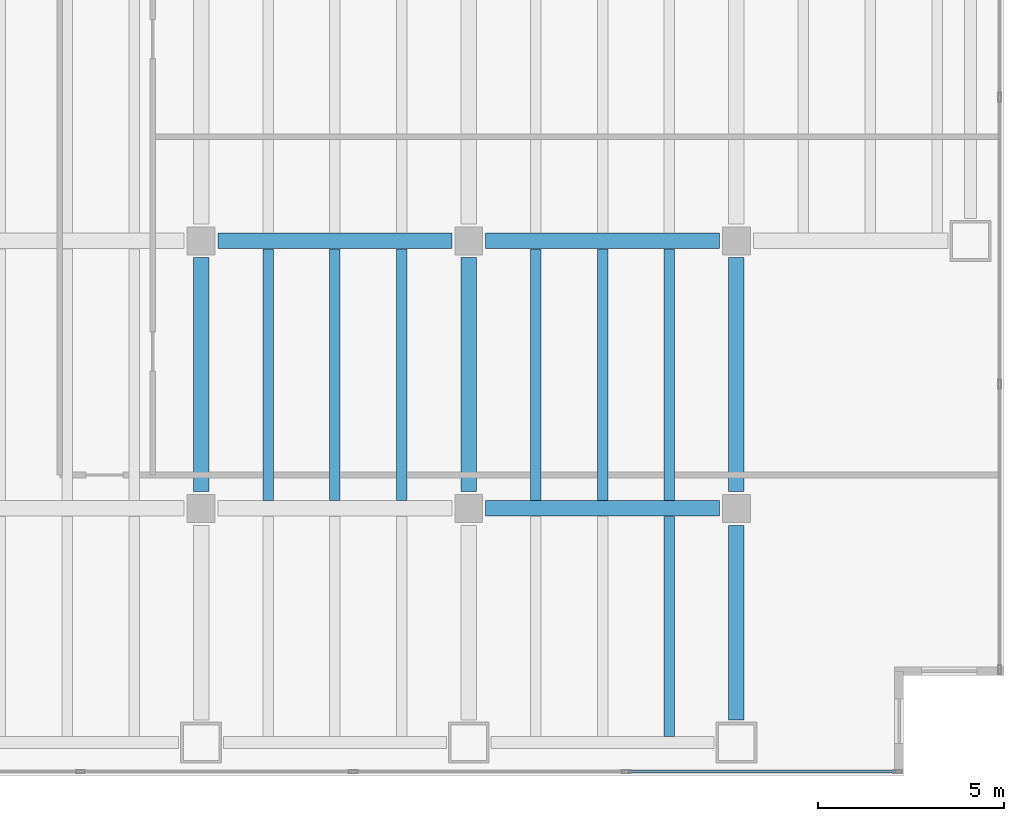
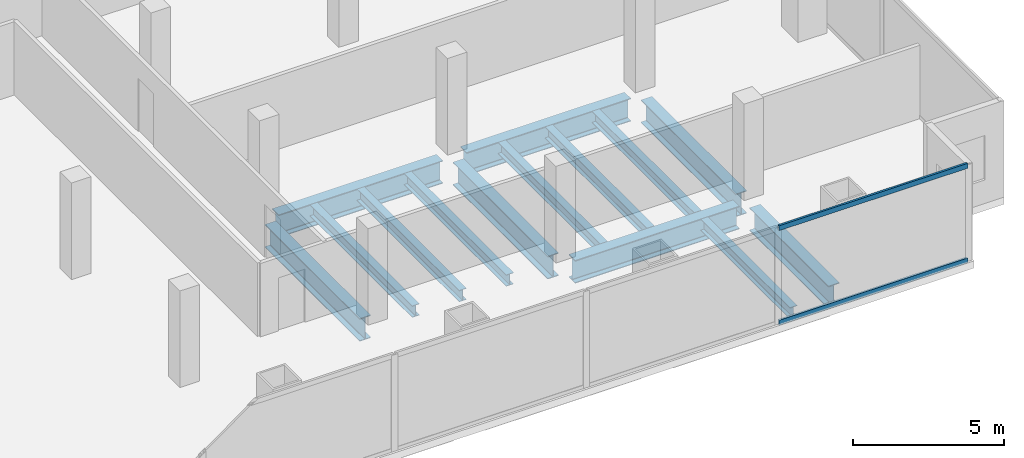
# One storey, part 17 of 28: 14 beams, 2 members, 1 element without a shape of its own.
"""IFC4 building model written with IfcOpenShell, lengths in metres."""

from ifc_helpers import new_model, si_unit, direction, frame, origin, origin_2d, place, context, subcontext, project, spatial, hollow_rectangle, i_section, extrude, material, material_profile, profile_set, type_object, element, aggregate, save


model = new_model("IFC4")

# Units and contexts
model_context = context("Model", 3, precision=1e-05, world=origin(), true_north=direction((0.0, 1.0)))
body_context = subcontext(model_context, "Body", "Model", "MODEL_VIEW")
ifc_project = project(units=[si_unit("LENGTHUNIT", "METRE"), si_unit("AREAUNIT", "SQUARE_METRE"), si_unit("VOLUMEUNIT", "CUBIC_METRE"), si_unit("PLANEANGLEUNIT", "RADIAN"), si_unit("MASSUNIT", "GRAM", prefix="KILO")], contexts=[model_context])

# Site, building, storey
site_placement = place(None, origin())
site = spatial("IfcSite", under=ifc_project, at=site_placement, CompositionType="ELEMENT")
building_placement = place(site_placement, origin())
building = spatial("IfcBuilding", under=site, at=building_placement, Name="Cobrela Telecom Tower", CompositionType="ELEMENT")
storey_placement = place(building_placement, frame((0.0, 0.0, 17.85009765625)))
storey = spatial("IfcBuildingStorey", under=building, at=storey_placement, Name="L04", CompositionType="ELEMENT", Elevation=17.85009765625)

# Beams
ifc_material_1 = material(Name="Steel ASTM A992 Grade 50", Category="steel")
ifc_material_profile_1 = material_profile(ifc_material_1, i_section(OverallWidth=0.4189453125, OverallDepth=0.927001953125, WebThickness=0.019287109375, FlangeThickness=0.031982421875, FilletRadius=0.02392578125, at=origin_2d()), Name="W36X231")
ifc_profile_set_1 = profile_set([ifc_material_profile_1], Name="Steel ASTM A992 Grade 50")
beam_type_1 = type_object("IfcBeamType", Name="BM-GIRD-02", PredefinedType="USERDEFINED", material=ifc_profile_set_1)
for number, where, z_axis, x_axis, name in (
    (1, (72.455078125, 7.199951171875, -0.753662109375), (1.0, 0.0, 0.0), (0.0, 1.0, 0.0), "L04 Primary Girder X19"),
    (2, (65.2548828125, 14.39990234375, -0.753662109375), (1.0, 0.0, 0.0), (0.0, 1.0, 0.0), "L04 Primary Girder X26"),
    (3, (72.455078125, 14.39990234375, -0.753662109375), (1.0, 0.0, 0.0), (0.0, 1.0, 0.0), "L04 Primary Girder X27"),
    (4, (64.800048828125, 7.655029296875, -0.753662109375), (0.0, 1.0, 0.0), (-1.0, 0.0, 0.0), "L04 Primary Girder Y92"),
    (5, (72.0, 7.655029296875, -0.753662109375), (0.0, 1.0, 0.0), (-1.0, 0.0, 0.0), "L04 Primary Girder Y95"),
):
    element("IfcBeam", number, at=place(storey_placement, frame(where, z_axis=z_axis, x_axis=x_axis)), inside=storey, type_object=beam_type_1, Name=name, ObjectType="GIRDER", PredefinedType="USERDEFINED", context=body_context, shape_type="SweptSolid", body=[
        extrude(i_section(OverallWidth=0.4189453125, OverallDepth=0.927001953125, WebThickness=0.019287109375, FlangeThickness=0.031982421875, FilletRadius=0.02392578125, at=origin_2d()), origin(), (0.0, 0.0, 1.0), 6.2900390625),
    ])
beam_1_placement = place(storey_placement, frame((79.199951171875, 1.5048828125, -0.753662109375), z_axis=(0.0, 1.0, 0.0), x_axis=(-1.0, 0.0, 0.0)))
element("IfcBeam", 6, at=beam_1_placement, inside=storey, type_object=beam_type_1, Name="L04 Primary Girder Y97", ObjectType="GIRDER", PredefinedType="USERDEFINED", context=body_context, shape_type="SweptSolid", body=[
    extrude(i_section(OverallWidth=0.4189453125, OverallDepth=0.927001953125, WebThickness=0.019287109375, FlangeThickness=0.031982421875, FilletRadius=0.02392578125, at=origin_2d()), origin(), (0.0, 0.0, 1.0), 5.240234375),
])
beam_2_placement = place(storey_placement, frame((79.199951171875, 7.655029296875, -0.753662109375), z_axis=(0.0, 1.0, 0.0), x_axis=(-1.0, 0.0, 0.0)))
element("IfcBeam", 7, at=beam_2_placement, inside=storey, type_object=beam_type_1, Name="L04 Primary Girder Y98", ObjectType="GIRDER", PredefinedType="USERDEFINED", context=body_context, shape_type="SweptSolid", body=[
    extrude(i_section(OverallWidth=0.4189453125, OverallDepth=0.927001953125, WebThickness=0.019287109375, FlangeThickness=0.031982421875, FilletRadius=0.02392578125, at=origin_2d()), origin(), (0.0, 0.0, 1.0), 6.2900390625),
])
ifc_material_profile_2 = material_profile(ifc_material_1, i_section(OverallWidth=0.281982421875, OverallDepth=0.467041015625, WebThickness=0.01220703125, FlangeThickness=0.01953125, FilletRadius=0.012939453125, at=origin_2d()), Name="W18X86")
ifc_profile_set_2 = profile_set([ifc_material_profile_2], Name="Steel ASTM A992 Grade 50")
beam_type_2 = type_object("IfcBeamType", Name="BM-JOIST-02", PredefinedType="JOIST", material=ifc_profile_set_2)
for number, where, z_axis, x_axis, name in (
    (8, (66.60009765625, 7.41455078125, -0.523681640625), (0.0, 1.0, 0.0), (-1.0, 0.0, 0.0), "L04 Secondary Composite Floor Beam J119"),
    (9, (68.39990234375, 7.41455078125, -0.523681640625), (0.0, 1.0, 0.0), (-1.0, 0.0, 0.0), "L04 Secondary Composite Floor Beam J122"),
    (10, (70.199951171875, 7.41455078125, -0.523681640625), (0.0, 1.0, 0.0), (-1.0, 0.0, 0.0), "L04 Secondary Composite Floor Beam J125"),
    (11, (73.800048828125, 7.41455078125, -0.523681640625), (0.0, 1.0, 0.0), (-1.0, 0.0, 0.0), "L04 Secondary Composite Floor Beam J128"),
    (12, (75.60009765625, 7.41455078125, -0.523681640625), (0.0, 1.0, 0.0), (-1.0, 0.0, 0.0), "L04 Secondary Composite Floor Beam J131"),
):
    element("IfcBeam", number, at=place(storey_placement, frame(where, z_axis=z_axis, x_axis=x_axis)), inside=storey, type_object=beam_type_2, Name=name, PredefinedType="JOIST", context=body_context, shape_type="SweptSolid", body=[
        extrude(i_section(OverallWidth=0.281982421875, OverallDepth=0.467041015625, WebThickness=0.01220703125, FlangeThickness=0.01953125, FilletRadius=0.012939453125, at=origin_2d()), origin(), (0.0, 0.0, 1.0), 6.77099609375),
    ])
beam_3_placement = place(storey_placement, frame((77.39990234375, 1.0673828125, -0.523681640625), z_axis=(0.0, 1.0, 0.0), x_axis=(-1.0, 0.0, 0.0)))
element("IfcBeam", 13, at=beam_3_placement, inside=storey, type_object=beam_type_2, Name="L04 Secondary Composite Floor Beam J133", PredefinedType="JOIST", context=body_context, shape_type="SweptSolid", body=[
    extrude(i_section(OverallWidth=0.281982421875, OverallDepth=0.467041015625, WebThickness=0.01220703125, FlangeThickness=0.01953125, FilletRadius=0.012939453125, at=origin_2d()), origin(), (0.0, 0.0, 1.0), 5.918212890625),
])
beam_4_placement = place(storey_placement, frame((77.39990234375, 7.41455078125, -0.523681640625), z_axis=(0.0, 1.0, 0.0), x_axis=(-1.0, 0.0, 0.0)))
element("IfcBeam", 14, at=beam_4_placement, inside=storey, type_object=beam_type_2, Name="L04 Secondary Composite Floor Beam J134", PredefinedType="JOIST", context=body_context, shape_type="SweptSolid", body=[
    extrude(i_section(OverallWidth=0.281982421875, OverallDepth=0.467041015625, WebThickness=0.01220703125, FlangeThickness=0.01953125, FilletRadius=0.012939453125, at=origin_2d()), origin(), (0.0, 0.0, 1.0), 6.77099609375),
])

# Curtain wall, members
ifc_material_2 = material(Name="Anodized Bronze Aluminium 6063-T6", Category="aluminium")
curtain_wall_type = type_object("IfcCurtainWallType", Name="CW-SYS-CONC", PredefinedType="USERDEFINED", material=ifc_material_2)
curtain_wall_placement = place(storey_placement, origin())
curtain_wall = element("IfcCurtainWall", 15, at=curtain_wall_placement, inside=storey, type_object=curtain_wall_type, Name="L04 Unitised Bronze Curtain Wall 17", ObjectType="UNITISED CURTAIN WALL", PredefinedType="USERDEFINED")
ifc_material_profile_3 = material_profile(ifc_material_2, hollow_rectangle(XDim=0.080078125, YDim=0.199951171875, WallThickness=0.00390625, at=origin_2d()), Name="ALU 80x200x4")
ifc_profile_set_3 = profile_set([ifc_material_profile_3], Name="Anodized Bronze Aluminium 6063-T6")
member_type = type_object("IfcMemberType", Name="CW-SYS-CONC-TRN", PredefinedType="USERDEFINED", material=ifc_profile_set_3)
member_1_placement = place(storey_placement, frame((83.5, 0.1201171875, 0.039794921875), z_axis=(-1.0, 0.0, 0.0), x_axis=(0.0, -1.0, 0.0)))
member_1 = element("IfcMember", 16, at=member_1_placement, type_object=member_type, Name="CW-CONC transom 1.1", ObjectType="TRANSOM", PredefinedType="USERDEFINED", context=body_context, shape_type="SweptSolid", body=[
    extrude(hollow_rectangle(XDim=0.080078125, YDim=0.199951171875, WallThickness=0.00390625, at=origin_2d()), origin(), (0.0, 0.0, 1.0), 7.221923828125),
])
member_2_placement = place(storey_placement, frame((83.5, 0.1201171875, 3.869873046875), z_axis=(-1.0, 0.0, 0.0), x_axis=(0.0, -1.0, 0.0)))
member_2 = element("IfcMember", 17, at=member_2_placement, type_object=member_type, Name="CW-CONC transom 1.2", ObjectType="TRANSOM", PredefinedType="USERDEFINED", context=body_context, shape_type="SweptSolid", body=[
    extrude(hollow_rectangle(XDim=0.080078125, YDim=0.199951171875, WallThickness=0.00390625, at=origin_2d()), origin(), (0.0, 0.0, 1.0), 7.221923828125),
])
aggregate(curtain_wall, [member_1, member_2])

save(model, "model.ifc")
